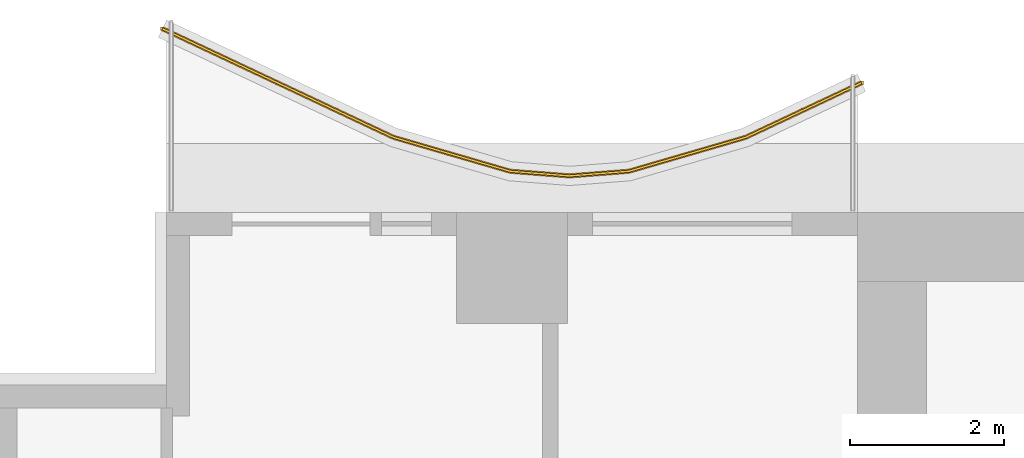
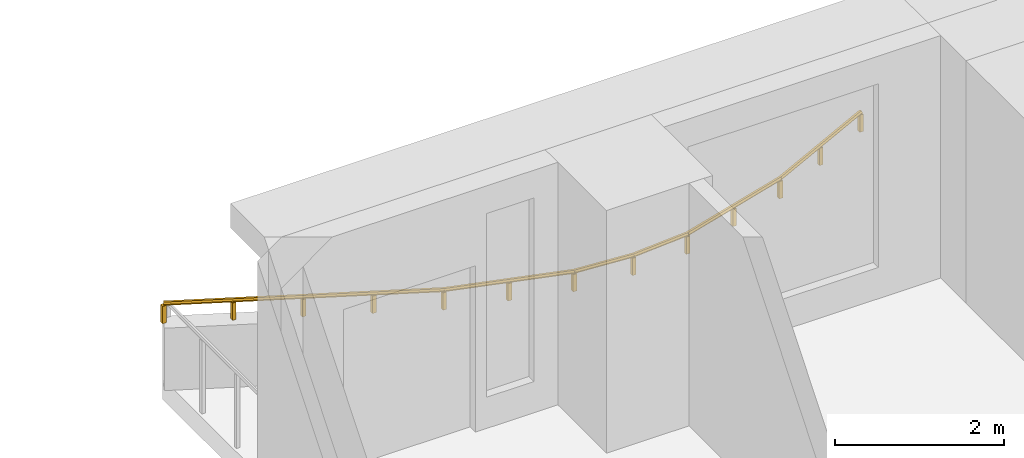
# One storey, part 13 of 14: 1 railing.
"""IFC4 building model written with IfcOpenShell, lengths in metres."""

from ifc_helpers import new_model, si_unit, direction, frame, origin, origin_2d, place, context, subcontext, project, spatial, polyline, rectangle, outline, extrude, material, type_object, element, save


model = new_model("IFC4")

# Units and contexts
model_context = context("Model", 3, precision=1e-05, world=origin(), true_north=direction((0.0, 1.0)))
body_context = subcontext(model_context, "Body", "Model", "MODEL_VIEW")
ifc_project = project(units=[si_unit("LENGTHUNIT", "METRE"), si_unit("AREAUNIT", "SQUARE_METRE"), si_unit("VOLUMEUNIT", "CUBIC_METRE"), si_unit("PLANEANGLEUNIT", "RADIAN"), si_unit("MASSUNIT", "GRAM", prefix="KILO")], contexts=[model_context])

# Site, building, storey
site_placement = place(None, origin())
site = spatial("IfcSite", under=ifc_project, at=site_placement, CompositionType="ELEMENT")
building_placement = place(site_placement, origin())
building = spatial("IfcBuilding", under=site, at=building_placement, Name="Orbiselva Terraces", CompositionType="ELEMENT")
storey_placement = place(building_placement, frame((0.0, 0.0, 30.2)))
storey = spatial("IfcBuildingStorey", under=building, at=storey_placement, Name="L07", CompositionType="ELEMENT", Elevation=30.2)

# Railing
ifc_material = material(Name="Bonded two-ply safety glass balustrade, stainless steel posts", Category="steel")
railing_type = type_object("IfcRailingType", Name="ENV-BALUSTRADE-1200", PredefinedType="BALUSTRADE", material=ifc_material)
railing_placement = place(storey_placement, frame((-13.446809, 24.186882, 0.9)))
element("IfcRailing", 1, at=railing_placement, inside=storey, type_object=railing_type, Name="Balcony balustrade L07 NW", PredefinedType="BALUSTRADE", context=body_context, shape_type="SweptSolid", body=[
    extrude(outline(polyline([(0.028868, 0.0), (0.014434, 0.025), (-0.014434, 0.025), (-0.028868, 0.0), (-0.014434, -0.025), (0.014434, -0.025), (0.028868, 0.0)])), frame((0.0, 0.0, 0.275), z_axis=(-0.904944157382, -0.425530342069, 0.0), x_axis=(0.425530342069, -0.904944157382, 0.0)), (0.0, 0.0, 1.0), 1.667376),
    extrude(outline(polyline([(0.028868, 0.0), (0.014434, 0.025), (-0.014434, 0.025), (-0.028868, 0.0), (-0.014434, -0.025), (0.014434, -0.025), (0.028868, 0.0)])), frame((-1.508882, -0.709519, 0.275), z_axis=(-0.960270491427, -0.279070928786, 0.0), x_axis=(0.279070928786, -0.960270491427, 0.0)), (0.0, 0.0, 1.0), 1.584712),
    extrude(outline(polyline([(0.028868, 0.0), (0.014434, 0.025), (-0.014434, 0.025), (-0.028868, 0.0), (-0.014434, -0.025), (0.014434, -0.025), (0.028868, 0.0)])), frame((-3.030634, -1.151766, 0.275), z_axis=(-0.996947796737, -0.078071061106, 0.0), x_axis=(0.078071061106, -0.996947796737, 0.0)), (0.0, 0.0, 1.0), 0.774922),
    extrude(outline(polyline([(0.028868, 0.0), (0.014434, 0.025), (-0.014434, 0.025), (-0.028868, 0.0), (-0.014434, -0.025), (0.014434, -0.025), (0.028868, 0.0)])), frame((-3.803191, -1.212265, 0.275), z_axis=(-0.996947796737, 0.078071061106, 0.0), x_axis=(-0.078071061106, -0.996947796737, 0.0)), (0.0, 0.0, 1.0), 0.774922),
    extrude(outline(polyline([(0.028868, 0.0), (0.014434, 0.025), (-0.014434, 0.025), (-0.028868, 0.0), (-0.014434, -0.025), (0.014434, -0.025), (0.028868, 0.0)])), frame((-4.575748, -1.151766, 0.275), z_axis=(-0.960270491427, 0.279070928786, 0.0), x_axis=(-0.279070928786, -0.960270491427, 0.0)), (0.0, 0.0, 1.0), 1.584712),
    extrude(outline(polyline([(0.028868, 0.0), (0.014434, 0.025), (-0.014434, 0.025), (-0.028868, 0.0), (-0.014434, -0.025), (0.014434, -0.025), (0.028868, 0.0)])), frame((-6.0975, -0.709519, 0.275), z_axis=(-0.904944157382, 0.425530342069, 0.0), x_axis=(-0.425530342069, -0.904944157382, 0.0)), (0.0, 0.0, 1.0), 1.667376),
    extrude(outline(polyline([(0.028868, 0.0), (0.014434, 0.025), (-0.014434, 0.025), (-0.028868, 0.0), (-0.014434, -0.025), (0.014434, -0.025), (0.028868, 0.0)])), frame((-7.606382, 0.0, 0.275), z_axis=(-0.904944257823, 0.425530128467, 0.0), x_axis=(-0.425530128467, -0.904944257823, 0.0)), (0.0, 0.0, 1.0), 1.657561),
    extrude(rectangle(XDim=0.05, YDim=0.05, at=origin_2d()), origin(), (0.0, 0.0, 1.0), 0.25),
    extrude(rectangle(XDim=0.05, YDim=0.05, at=origin_2d()), frame((-0.754441, -0.35476, 0.0)), (0.0, 0.0, 1.0), 0.25),
    extrude(rectangle(XDim=0.05, YDim=0.05, at=origin_2d()), frame((-1.508882, -0.709519, 0.0)), (0.0, 0.0, 1.0), 0.25),
    extrude(rectangle(XDim=0.05, YDim=0.05, at=origin_2d()), frame((-2.269758, -0.930643, 0.0)), (0.0, 0.0, 1.0), 0.25),
    extrude(rectangle(XDim=0.05, YDim=0.05, at=origin_2d()), frame((-3.030634, -1.151766, 0.0)), (0.0, 0.0, 1.0), 0.25),
    extrude(rectangle(XDim=0.05, YDim=0.05, at=origin_2d()), frame((-3.803191, -1.212265, 0.0)), (0.0, 0.0, 1.0), 0.25),
    extrude(rectangle(XDim=0.05, YDim=0.05, at=origin_2d()), frame((-4.575748, -1.151766, 0.0)), (0.0, 0.0, 1.0), 0.25),
    extrude(rectangle(XDim=0.05, YDim=0.05, at=origin_2d()), frame((-5.336624, -0.930643, 0.0)), (0.0, 0.0, 1.0), 0.25),
    extrude(rectangle(XDim=0.05, YDim=0.05, at=origin_2d()), frame((-6.0975, -0.709519, 0.0)), (0.0, 0.0, 1.0), 0.25),
    extrude(rectangle(XDim=0.05, YDim=0.05, at=origin_2d()), frame((-6.851941, -0.35476, 0.0)), (0.0, 0.0, 1.0), 0.25),
    extrude(rectangle(XDim=0.05, YDim=0.05, at=origin_2d()), frame((-7.606382, 0.0, 0.0)), (0.0, 0.0, 1.0), 0.25),
    extrude(rectangle(XDim=0.05, YDim=0.05, at=origin_2d()), frame((-8.356382, 0.352671, 0.0)), (0.0, 0.0, 1.0), 0.25),
    extrude(rectangle(XDim=0.05, YDim=0.05, at=origin_2d()), frame((-9.106382, 0.705342, 0.0)), (0.0, 0.0, 1.0), 0.25),
])

save(model, "model.ifc")
